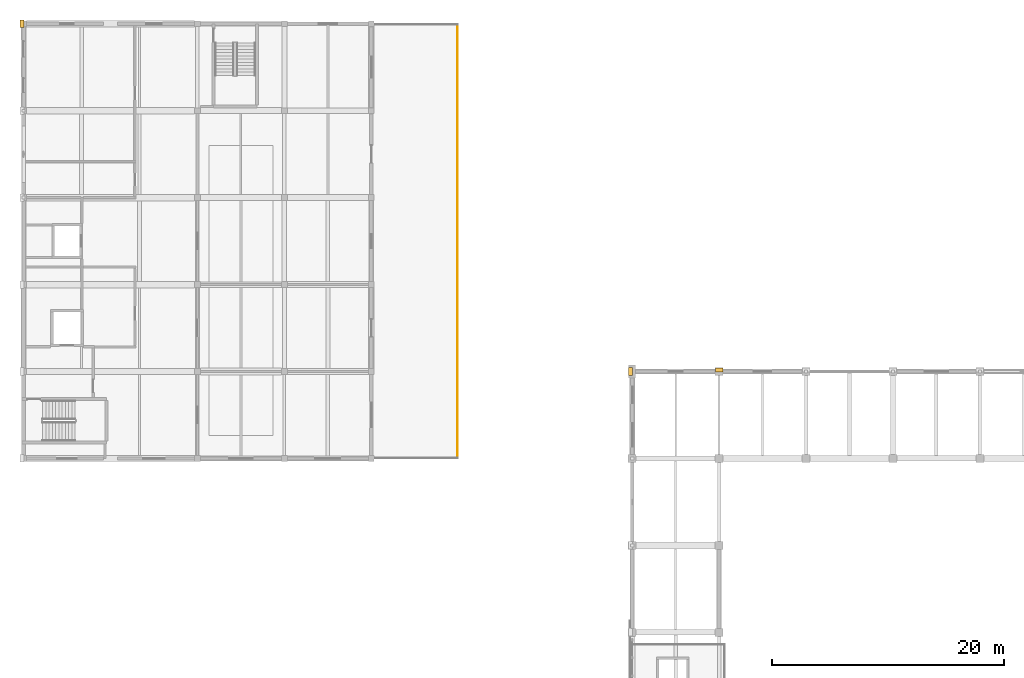
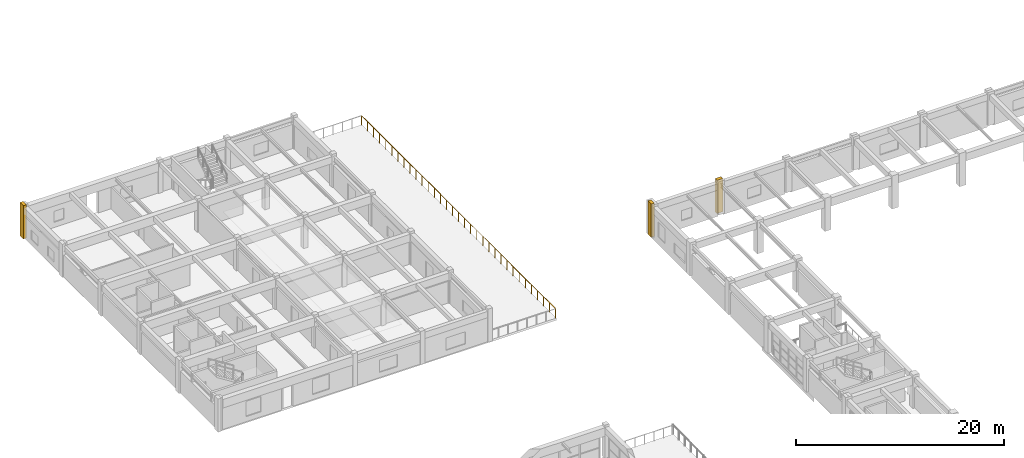
# One storey, part 80 of 82: 3 coverings, 1 railing.
"""IFC4 building model written with IfcOpenShell, lengths in metres."""

from ifc_helpers import new_model, si_unit, direction, frame, origin, origin_2d, place, context, subcontext, project, spatial, rectangle, circle, extrude, material, layer, layer_set, type_object, element, save


model = new_model("IFC4")

# Units and contexts
model_context = context("Model", 3, precision=1e-05, world=origin(), true_north=direction((0.0, 1.0)))
body_context = subcontext(model_context, "Body", "Model", "MODEL_VIEW")
ifc_project = project(units=[si_unit("LENGTHUNIT", "METRE"), si_unit("AREAUNIT", "SQUARE_METRE"), si_unit("VOLUMEUNIT", "CUBIC_METRE"), si_unit("PLANEANGLEUNIT", "RADIAN"), si_unit("MASSUNIT", "GRAM", prefix="KILO")], contexts=[model_context])

# Site, building, storey
site_placement = place(None, origin())
site = spatial("IfcSite", under=ifc_project, at=site_placement, CompositionType="ELEMENT")
building_placement = place(site_placement, origin())
building = spatial("IfcBuilding", under=site, at=building_placement, Name="Qasida Concert Hall", CompositionType="ELEMENT")
storey_placement = place(building_placement, frame((0.0, 0.0, 17.10009765625)))
storey = spatial("IfcBuildingStorey", under=building, at=storey_placement, Name="L04", CompositionType="ELEMENT", Elevation=17.10009765625)

# Coverings
ifc_material_1 = material(Name="Projecting fluted Lebanese limestone Art Deco pilaster", Category="masonry")
ifc_layer_1 = layer(ifc_material_1, 0.35009765625, Name="Projecting fluted Lebanese limestone Art Deco pilaster")
ifc_layer_set_1 = layer_set([ifc_layer_1], Name="Projecting fluted Lebanese limestone Art Deco pilaster")
covering_type = type_object("IfcCoveringType", Name="CV-PIL-650", PredefinedType="CLADDING", material=ifc_layer_set_1)
covering_1_placement = place(storey_placement, frame((52.364990234375, 82.5, 0.0), z_axis=(0.0, 0.0, 1.0), x_axis=(1.0, 0.0, 0.0)))
element("IfcCovering", 1, at=covering_1_placement, inside=storey, type_object=covering_type, Name="L04 fluted limestone pilaster 0089", PredefinedType="CLADDING", context=body_context, shape_type="SweptSolid", body=[
    extrude(rectangle(XDim=0.35009765625, YDim=0.64990234375, at=origin_2d()), origin(), (0.0, 0.0, 1.0), 3.89990234375),
])
covering_2_placement = place(storey_placement, frame((60.0, 82.635009765625, 0.0), z_axis=(0.0, 0.0, 1.0), x_axis=(1.0, 0.0, 0.0)))
element("IfcCovering", 2, at=covering_2_placement, inside=storey, type_object=covering_type, Name="L04 fluted limestone pilaster 0103", PredefinedType="CLADDING", context=body_context, shape_type="SweptSolid", body=[
    extrude(rectangle(XDim=0.64990234375, YDim=0.35009765625, at=origin_2d()), origin(), (0.0, 0.0, 1.0), 3.89990234375),
])
covering_3_placement = place(storey_placement, frame((-0.135009765625, 112.5, 0.0), z_axis=(0.0, 0.0, 1.0), x_axis=(1.0, 0.0, 0.0)))
element("IfcCovering", 3, at=covering_3_placement, inside=storey, type_object=covering_type, Name="L04 fluted limestone pilaster 0304", PredefinedType="CLADDING", context=body_context, shape_type="SweptSolid", body=[
    extrude(rectangle(XDim=0.35009765625, YDim=0.64990234375, at=origin_2d()), origin(), (0.0, 0.0, 1.0), 3.89990234375),
])

# Railing
ifc_material_2 = material(Name="Patinated architectural bronze and laminated glass infill", Category="glass")
ifc_layer_2 = layer(ifc_material_2, 0.080078125, Name="Patinated architectural bronze and laminated glass infill")
ifc_layer_set_2 = layer_set([ifc_layer_2], Name="Patinated architectural bronze and laminated glass infill")
railing_type = type_object("IfcRailingType", Name="RL-GRD-1100", PredefinedType="GUARDRAIL", material=ifc_layer_set_2)
railing_placement = place(storey_placement, frame((37.449951171875, 75.050048828125, 0.0)))
element("IfcRailing", 4, at=railing_placement, inside=storey, type_object=railing_type, Name="L04 Ziggurat L04 terrace guardrail 0009", PredefinedType="GUARDRAIL", context=body_context, shape_type="SweptSolid", body=[
    extrude(circle(Radius=0.02392578125, at=origin_2d()), frame((0.0, 0.0, 1.09619140625), z_axis=(0.0, 1.0, 0.0), x_axis=(-1.0, 0.0, 0.0)), (0.0, 0.0, 1.0), 37.39990234375),
    extrude(circle(Radius=0.02099609375, at=origin_2d()), origin(), (0.0, 0.0, 1.0), 1.072021484375),
    extrude(circle(Radius=0.02099609375, at=origin_2d()), frame((0.0, 1.168701171875, 0.0)), (0.0, 0.0, 1.0), 1.072021484375),
    extrude(circle(Radius=0.02099609375, at=origin_2d()), frame((0.0, 2.33740234375, 0.0)), (0.0, 0.0, 1.0), 1.072021484375),
    extrude(circle(Radius=0.02099609375, at=origin_2d()), frame((0.0, 3.50634765625, 0.0)), (0.0, 0.0, 1.0), 1.072021484375),
    extrude(circle(Radius=0.02099609375, at=origin_2d()), frame((0.0, 4.675048828125, 0.0)), (0.0, 0.0, 1.0), 1.072021484375),
    extrude(circle(Radius=0.02099609375, at=origin_2d()), frame((0.0, 5.84375, 0.0)), (0.0, 0.0, 1.0), 1.072021484375),
    extrude(circle(Radius=0.02099609375, at=origin_2d()), frame((0.0, 7.012451171875, 0.0)), (0.0, 0.0, 1.0), 1.072021484375),
    extrude(circle(Radius=0.02099609375, at=origin_2d()), frame((0.0, 8.18115234375, 0.0)), (0.0, 0.0, 1.0), 1.072021484375),
    extrude(circle(Radius=0.02099609375, at=origin_2d()), frame((0.0, 9.35009765625, 0.0)), (0.0, 0.0, 1.0), 1.072021484375),
    extrude(circle(Radius=0.02099609375, at=origin_2d()), frame((0.0, 10.518798828125, 0.0)), (0.0, 0.0, 1.0), 1.072021484375),
    extrude(circle(Radius=0.02099609375, at=origin_2d()), frame((0.0, 11.6875, 0.0)), (0.0, 0.0, 1.0), 1.072021484375),
    extrude(circle(Radius=0.02099609375, at=origin_2d()), frame((0.0, 12.856201171875, 0.0)), (0.0, 0.0, 1.0), 1.072021484375),
    extrude(circle(Radius=0.02099609375, at=origin_2d()), frame((0.0, 14.02490234375, 0.0)), (0.0, 0.0, 1.0), 1.072021484375),
    extrude(circle(Radius=0.02099609375, at=origin_2d()), frame((0.0, 15.193603515625, 0.0)), (0.0, 0.0, 1.0), 1.072021484375),
    extrude(circle(Radius=0.02099609375, at=origin_2d()), frame((0.0, 16.362548828125, 0.0)), (0.0, 0.0, 1.0), 1.072021484375),
    extrude(circle(Radius=0.02099609375, at=origin_2d()), frame((0.0, 17.53125, 0.0)), (0.0, 0.0, 1.0), 1.072021484375),
    extrude(circle(Radius=0.02099609375, at=origin_2d()), frame((0.0, 18.699951171875, 0.0)), (0.0, 0.0, 1.0), 1.072021484375),
    extrude(circle(Radius=0.02099609375, at=origin_2d()), frame((0.0, 19.86865234375, 0.0)), (0.0, 0.0, 1.0), 1.072021484375),
    extrude(circle(Radius=0.02099609375, at=origin_2d()), frame((0.0, 21.037353515625, 0.0)), (0.0, 0.0, 1.0), 1.072021484375),
    extrude(circle(Radius=0.02099609375, at=origin_2d()), frame((0.0, 22.206298828125, 0.0)), (0.0, 0.0, 1.0), 1.072021484375),
    extrude(circle(Radius=0.02099609375, at=origin_2d()), frame((0.0, 23.375, 0.0)), (0.0, 0.0, 1.0), 1.072021484375),
    extrude(circle(Radius=0.02099609375, at=origin_2d()), frame((0.0, 24.543701171875, 0.0)), (0.0, 0.0, 1.0), 1.072021484375),
    extrude(circle(Radius=0.02099609375, at=origin_2d()), frame((0.0, 25.71240234375, 0.0)), (0.0, 0.0, 1.0), 1.072021484375),
    extrude(circle(Radius=0.02099609375, at=origin_2d()), frame((0.0, 26.881103515625, 0.0)), (0.0, 0.0, 1.0), 1.072021484375),
    extrude(circle(Radius=0.02099609375, at=origin_2d()), frame((0.0, 28.0498046875, 0.0)), (0.0, 0.0, 1.0), 1.072021484375),
    extrude(circle(Radius=0.02099609375, at=origin_2d()), frame((0.0, 29.21875, 0.0)), (0.0, 0.0, 1.0), 1.072021484375),
    extrude(circle(Radius=0.02099609375, at=origin_2d()), frame((0.0, 30.387451171875, 0.0)), (0.0, 0.0, 1.0), 1.072021484375),
    extrude(circle(Radius=0.02099609375, at=origin_2d()), frame((0.0, 31.55615234375, 0.0)), (0.0, 0.0, 1.0), 1.072021484375),
    extrude(circle(Radius=0.02099609375, at=origin_2d()), frame((0.0, 32.724853515625, 0.0)), (0.0, 0.0, 1.0), 1.072021484375),
    extrude(circle(Radius=0.02099609375, at=origin_2d()), frame((0.0, 33.8935546875, 0.0)), (0.0, 0.0, 1.0), 1.072021484375),
    extrude(circle(Radius=0.02099609375, at=origin_2d()), frame((0.0, 35.0625, 0.0)), (0.0, 0.0, 1.0), 1.072021484375),
    extrude(circle(Radius=0.02099609375, at=origin_2d()), frame((0.0, 36.231201171875, 0.0)), (0.0, 0.0, 1.0), 1.072021484375),
    extrude(circle(Radius=0.02099609375, at=origin_2d()), frame((0.0, 37.39990234375, 0.0)), (0.0, 0.0, 1.0), 1.072021484375),
])

save(model, "model.ifc")
